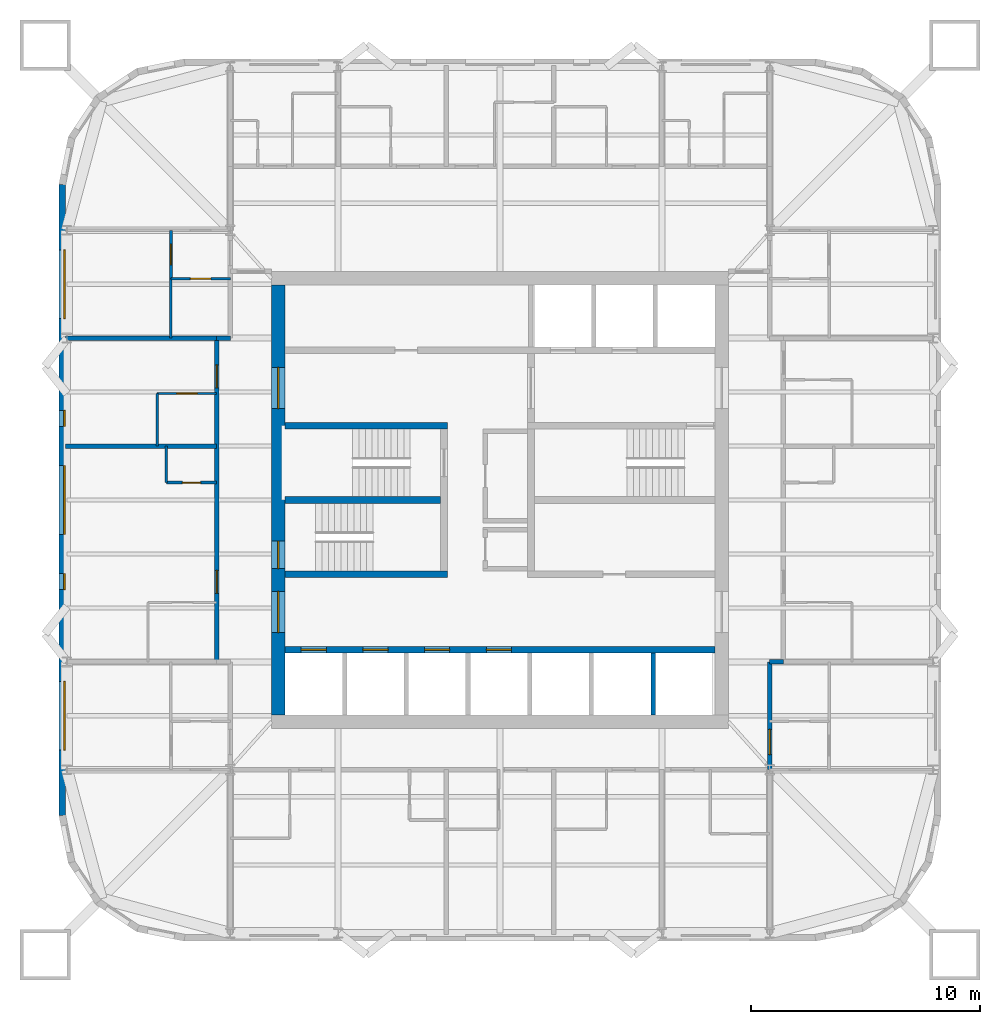
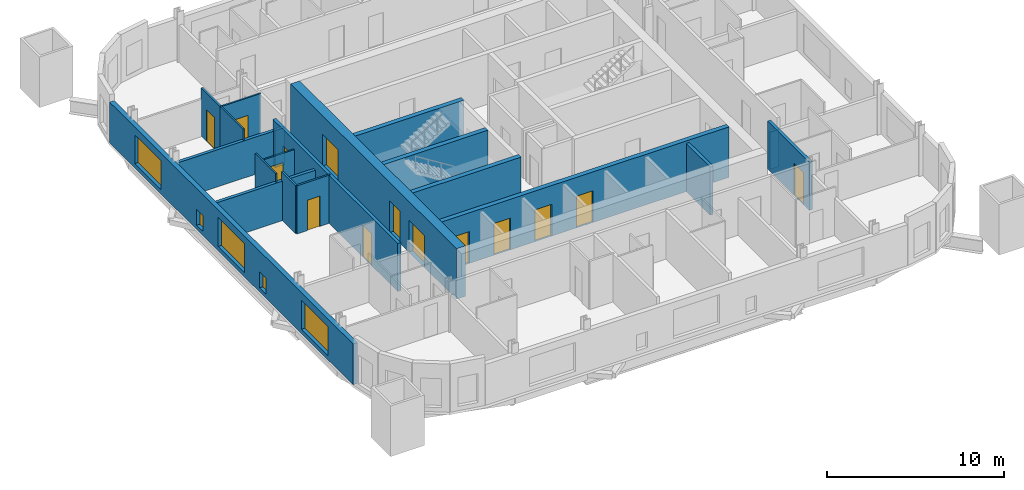
# One storey, part 4 of 9: 20 walls, 14 doors, 5 windows, 19 openings.
"""IFC4 building model written with IfcOpenShell, lengths in metres."""

from ifc_helpers import new_model, si_unit, direction, frame, frame_2d, origin, place, context, subcontext, project, spatial, rectangle, extrude, material, layer, layer_set, type_object, element, fill, save


model = new_model("IFC4")

# Units and contexts
model_context = context("Model", 3, precision=1e-05, world=origin(), true_north=direction((0.0, 1.0)))
body_context = subcontext(model_context, "Body", "Model", "MODEL_VIEW")
ifc_project = project(units=[si_unit("LENGTHUNIT", "METRE"), si_unit("AREAUNIT", "SQUARE_METRE"), si_unit("VOLUMEUNIT", "CUBIC_METRE"), si_unit("PLANEANGLEUNIT", "RADIAN"), si_unit("MASSUNIT", "GRAM", prefix="KILO")], contexts=[model_context])

# Site, building, storey
site_placement = place(None, origin())
site = spatial("IfcSite", under=ifc_project, at=site_placement, CompositionType="ELEMENT")
building_placement = place(site_placement, origin())
building = spatial("IfcBuilding", under=site, at=building_placement, Name="Turquesa Mirador Hotel Tower", CompositionType="ELEMENT")
storey_placement = place(building_placement, frame((0.0, 0.0, 182.800048828125)))
storey = spatial("IfcBuildingStorey", under=building, at=storey_placement, Name="L49", CompositionType="ELEMENT", Elevation=182.800048828125)

# Wall, opening, door
ifc_material_1 = material(Name="Gypsum board on steel studs", Category="steel")
ifc_layer_1 = layer(ifc_material_1, 0.10009765625)
ifc_layer_set_1 = layer_set([ifc_layer_1], Name="BATHROOM WALL 100")
wall_type_1 = type_object("IfcWallType", Name="BATHROOM WALL 100", PredefinedType="PARTITIONING", material=ifc_layer_set_1)
wall_1_placement = place(storey_placement, frame((40.0, 49.659912109375, 0.0), z_axis=(0.0, 0.0, 1.0), x_axis=(1.0, 0.0, 0.0)))
wall_1 = element("IfcWall", 1, at=wall_1_placement, inside=storey, type_object=wall_type_1, Name="Partition L49 033", PredefinedType="PARTITIONING", context=body_context, shape_type="SweptSolid", body=[
    extrude(rectangle(XDim=2.60009765625, YDim=0.10009765625, at=frame_2d((1.300048828125, 0.0))), origin(), (0.0, 0.0, 1.0), 2.73046875),
])
opening_1_placement = place(wall_1_placement, frame((0.85009765625, 0.0, 0.0)))
opening_1 = element("IfcOpeningElement", 2, at=opening_1_placement, cuts=wall_1, Name="Opening D02", PredefinedType="OPENING", context=body_context, shape_type="SweptSolid", body=[
    extrude(rectangle(XDim=0.89990234375, YDim=2.10009765625, at=frame_2d((0.449951171875, 1.050048828125))), frame((0.0, 0.06005859375, 0.0), z_axis=(0.0, -1.0, 0.0), x_axis=(1.0, 0.0, 0.0)), (0.0, 0.0, 1.0), 0.1201171875),
])
ifc_material_2 = material(Name="Timber veneered door", Category="wood")
door_type_1 = type_object("IfcDoorType", Name="DOOR 900X2100 EN-SUITE", OperationType="SINGLE_SWING_RIGHT", PredefinedType="DOOR", material=ifc_material_2)
door_1_placement = place(opening_1_placement, origin())
door_1 = element("IfcDoor", 3, at=door_1_placement, inside=storey, type_object=door_type_1, Name="Door 4913B", OperationType="SINGLE_SWING_RIGHT", OverallHeight=2.10009765625, OverallWidth=0.89990234375, PredefinedType="DOOR", context=body_context, shape_type="SweptSolid", body=[
    extrude(rectangle(XDim=0.89990234375, YDim=2.10009765625, at=frame_2d((0.449951171875, 1.050048828125))), frame((0.0, 0.02490234375, 0.0), z_axis=(0.0, -1.0, 0.0), x_axis=(1.0, 0.0, 0.0)), (0.0, 0.0, 1.0), 0.050048828125),
])
fill(opening_1, door_1)

wall_2_placement = place(storey_placement, frame((40.60009765625, 54.679931640625, 0.0), z_axis=(0.0, 0.0, 1.0), x_axis=(1.0, 0.0, 0.0)))
wall_2 = element("IfcWall", 4, at=wall_2_placement, inside=storey, type_object=wall_type_1, Name="Partition L49 039", PredefinedType="PARTITIONING", context=body_context, shape_type="SweptSolid", body=[
    extrude(rectangle(XDim=2.599853515625, YDim=0.10009765625, at=frame_2d((1.2998046875, 0.0))), origin(), (0.0, 0.0, 1.0), 3.329833984375),
])
opening_2_placement = place(wall_2_placement, frame((0.85009765625, 0.0, 0.0)))
opening_2 = element("IfcOpeningElement", 5, at=opening_2_placement, cuts=wall_2, Name="Opening D02", PredefinedType="OPENING", context=body_context, shape_type="SweptSolid", body=[
    extrude(rectangle(XDim=0.89990234375, YDim=2.10009765625, at=frame_2d((0.449951171875, 1.050048828125))), frame((0.0, 0.06005859375, 0.0), z_axis=(0.0, -1.0, 0.0), x_axis=(1.0, 0.0, 0.0)), (0.0, 0.0, 1.0), 0.1201171875),
])
door_2_placement = place(opening_2_placement, origin())
door_2 = element("IfcDoor", 6, at=door_2_placement, inside=storey, type_object=door_type_1, Name="Door 4915B", OperationType="SINGLE_SWING_RIGHT", OverallHeight=2.10009765625, OverallWidth=0.89990234375, PredefinedType="DOOR", context=body_context, shape_type="SweptSolid", body=[
    extrude(rectangle(XDim=0.89990234375, YDim=2.10009765625, at=frame_2d((0.449951171875, 1.050048828125))), frame((0.0, 0.02490234375, 0.0), z_axis=(0.0, -1.0, 0.0), x_axis=(1.0, 0.0, 0.0)), (0.0, 0.0, 1.0), 0.050048828125),
])
fill(opening_2, door_2)

# Walls
wall_3_placement = place(storey_placement, frame((40.60009765625, 52.080078125, 0.0), z_axis=(0.0, 0.0, 1.0), x_axis=(0.0, 1.0, 0.0)))
element("IfcWall", 7, at=wall_3_placement, inside=storey, type_object=wall_type_1, Name="Partition L49 050", PredefinedType="PARTITIONING", context=body_context, shape_type="SweptSolid", body=[
    extrude(rectangle(XDim=2.599853515625, YDim=0.10009765625, at=frame_2d((1.2998046875, 0.0))), origin(), (0.0, 0.0, 1.0), 3.329833984375),
])
wall_4_placement = place(storey_placement, frame((40.0, 47.360107421875, 0.0), z_axis=(0.0, 0.0, 1.0), x_axis=(0.0, 1.0, 0.0)))
element("IfcWall", 8, at=wall_4_placement, inside=storey, type_object=wall_type_1, Name="Partition L49 054", PredefinedType="PARTITIONING", context=body_context, shape_type="SweptSolid", body=[
    extrude(rectangle(XDim=2.2998046875, YDim=0.10009765625, at=frame_2d((1.14990234375, 0.0))), origin(), (0.0, 0.0, 1.0), 3.329833984375),
])

# Wall, openings, doors
ifc_material_3 = material(Name="Concrete C50/60", Category="concrete")
ifc_layer_2 = layer(ifc_material_3, 0.300048828125)
ifc_layer_set_2 = layer_set([ifc_layer_2], Name="CORE INNER WALL 300")
wall_type_2 = type_object("IfcWallType", Name="CORE INNER WALL 300", PredefinedType="SHEAR", material=ifc_layer_set_2)
wall_5_placement = place(storey_placement, frame((45.60009765625, 38.449951171875, 0.0), z_axis=(0.0, 0.0, 1.0), x_axis=(1.0, 0.0, 0.0)))
wall_5 = element("IfcWall", 9, at=wall_5_placement, inside=storey, type_object=wall_type_2, Name="Core wall SL", PredefinedType="SHEAR", context=body_context, shape_type="SweptSolid", body=[
    extrude(rectangle(XDim=18.7998046875, YDim=0.300048828125, at=frame_2d((9.39990234375, 0.0))), origin(), (0.0, 0.0, 1.0), 3.5),
])
opening_3_placement = place(wall_5_placement, frame((0.699951171875, 0.0, 0.0)))
opening_3 = element("IfcOpeningElement", 10, at=opening_3_placement, cuts=wall_5, Name="Opening LD", PredefinedType="OPENING", context=body_context, shape_type="SweptSolid", body=[
    extrude(rectangle(XDim=1.10009765625, YDim=2.199951171875, at=frame_2d((0.550048828125, 1.10009765625))), frame((0.0, 0.159912109375, 0.0), z_axis=(0.0, -1.0, 0.0), x_axis=(1.0, 0.0, 0.0)), (0.0, 0.0, 1.0), 0.320068359375),
])
opening_4_placement = place(wall_5_placement, frame((3.39990234375, 0.0, 0.0)))
opening_4 = element("IfcOpeningElement", 11, at=opening_4_placement, cuts=wall_5, Name="Opening LD", PredefinedType="OPENING", context=body_context, shape_type="SweptSolid", body=[
    extrude(rectangle(XDim=1.10009765625, YDim=2.199951171875, at=frame_2d((0.550048828125, 1.10009765625))), frame((0.0, 0.159912109375, 0.0), z_axis=(0.0, -1.0, 0.0), x_axis=(1.0, 0.0, 0.0)), (0.0, 0.0, 1.0), 0.320068359375),
])
opening_5_placement = place(wall_5_placement, frame((6.10009765625, 0.0, 0.0)))
opening_5 = element("IfcOpeningElement", 12, at=opening_5_placement, cuts=wall_5, Name="Opening LD", PredefinedType="OPENING", context=body_context, shape_type="SweptSolid", body=[
    extrude(rectangle(XDim=1.10009765625, YDim=2.199951171875, at=frame_2d((0.550048828125, 1.10009765625))), frame((0.0, 0.159912109375, 0.0), z_axis=(0.0, -1.0, 0.0), x_axis=(1.0, 0.0, 0.0)), (0.0, 0.0, 1.0), 0.320068359375),
])
opening_6_placement = place(wall_5_placement, frame((8.800048828125, 0.0, 0.0)))
opening_6 = element("IfcOpeningElement", 13, at=opening_6_placement, cuts=wall_5, Name="Opening LD", PredefinedType="OPENING", context=body_context, shape_type="SweptSolid", body=[
    extrude(rectangle(XDim=1.10009765625, YDim=2.199951171875, at=frame_2d((0.550048828125, 1.10009765625))), frame((0.0, 0.159912109375, 0.0), z_axis=(0.0, -1.0, 0.0), x_axis=(1.0, 0.0, 0.0)), (0.0, 0.0, 1.0), 0.320068359375),
])
ifc_material_4 = material(Name="Stainless steel lift landing door", Category="steel")
door_type_2 = type_object("IfcDoorType", Name="LIFT LANDING DOOR 1100X2200", OperationType="SLIDING_TO_LEFT", PredefinedType="DOOR", material=ifc_material_4)
door_3_placement = place(opening_3_placement, origin())
door_3 = element("IfcDoor", 14, at=door_3_placement, inside=storey, type_object=door_type_2, Name="Lift B1 landing door", OperationType="SLIDING_TO_LEFT", OverallHeight=2.199951171875, OverallWidth=1.10009765625, PredefinedType="DOOR", context=body_context, shape_type="SweptSolid", body=[
    extrude(rectangle(XDim=1.10009765625, YDim=2.199951171875, at=frame_2d((0.550048828125, 1.10009765625))), frame((0.0, 0.02490234375, 0.0), z_axis=(0.0, -1.0, 0.0), x_axis=(1.0, 0.0, 0.0)), (0.0, 0.0, 1.0), 0.050048828125),
])
fill(opening_3, door_3)
door_4_placement = place(opening_4_placement, origin())
door_4 = element("IfcDoor", 15, at=door_4_placement, inside=storey, type_object=door_type_2, Name="Lift B2 landing door", OperationType="SLIDING_TO_LEFT", OverallHeight=2.199951171875, OverallWidth=1.10009765625, PredefinedType="DOOR", context=body_context, shape_type="SweptSolid", body=[
    extrude(rectangle(XDim=1.10009765625, YDim=2.199951171875, at=frame_2d((0.550048828125, 1.10009765625))), frame((0.0, 0.02490234375, 0.0), z_axis=(0.0, -1.0, 0.0), x_axis=(1.0, 0.0, 0.0)), (0.0, 0.0, 1.0), 0.050048828125),
])
fill(opening_4, door_4)
door_5_placement = place(opening_5_placement, origin())
door_5 = element("IfcDoor", 16, at=door_5_placement, inside=storey, type_object=door_type_2, Name="Lift B3 landing door", OperationType="SLIDING_TO_LEFT", OverallHeight=2.199951171875, OverallWidth=1.10009765625, PredefinedType="DOOR", context=body_context, shape_type="SweptSolid", body=[
    extrude(rectangle(XDim=1.10009765625, YDim=2.199951171875, at=frame_2d((0.550048828125, 1.10009765625))), frame((0.0, 0.02490234375, 0.0), z_axis=(0.0, -1.0, 0.0), x_axis=(1.0, 0.0, 0.0)), (0.0, 0.0, 1.0), 0.050048828125),
])
fill(opening_5, door_5)
door_6_placement = place(opening_6_placement, origin())
door_6 = element("IfcDoor", 17, at=door_6_placement, inside=storey, type_object=door_type_2, Name="Lift B4 landing door", OperationType="SLIDING_TO_LEFT", OverallHeight=2.199951171875, OverallWidth=1.10009765625, PredefinedType="DOOR", context=body_context, shape_type="SweptSolid", body=[
    extrude(rectangle(XDim=1.10009765625, YDim=2.199951171875, at=frame_2d((0.550048828125, 1.10009765625))), frame((0.0, 0.02490234375, 0.0), z_axis=(0.0, -1.0, 0.0), x_axis=(1.0, 0.0, 0.0)), (0.0, 0.0, 1.0), 0.050048828125),
])
fill(opening_6, door_6)

# Walls
for number, where, z_axis, x_axis, name in (
    (18, (45.60009765625, 48.25, 0.0), (0.0, 0.0, 1.0), (1.0, 0.0, 0.0), "Core wall MN-W"),
    (19, (45.60009765625, 41.75, 0.0), (0.0, 0.0, 1.0), (1.0, 0.0, 0.0), "Core wall MS-W"),
):
    element("IfcWall", number, at=place(storey_placement, frame(where, z_axis=z_axis, x_axis=x_axis)), inside=storey, type_object=wall_type_2, Name=name, PredefinedType="SHEAR", context=body_context, shape_type="SweptSolid", body=[
        extrude(rectangle(XDim=7.099853515625, YDim=0.300048828125, at=frame_2d((3.5498046875, 0.0))), origin(), (0.0, 0.0, 1.0), 3.5),
    ])
wall_6_placement = place(storey_placement, frame((45.60009765625, 45.0, 0.0), z_axis=(0.0, 0.0, 1.0), x_axis=(1.0, 0.0, 0.0)))
element("IfcWall", 20, at=wall_6_placement, inside=storey, type_object=wall_type_2, Name="Core wall M0-W", PredefinedType="SHEAR", context=body_context, shape_type="SweptSolid", body=[
    extrude(rectangle(XDim=6.7998046875, YDim=0.300048828125, at=frame_2d((3.39990234375, 0.0))), origin(), (0.0, 0.0, 1.0), 3.5),
])

# Wall, openings, doors
ifc_material_5 = material(Name="Concrete C50/60", Category="concrete")
ifc_layer_3 = layer(ifc_material_5, 0.60009765625)
ifc_layer_set_3 = layer_set([ifc_layer_3], Name="CORE WALL 600")
wall_type_3 = type_object("IfcWallType", Name="CORE WALL 600", PredefinedType="SHEAR", material=ifc_layer_set_3)
wall_7_placement = place(storey_placement, frame((45.300048828125, 35.60009765625, 0.0), z_axis=(0.0, 0.0, 1.0), x_axis=(0.0, 1.0, 0.0)))
wall_7 = element("IfcWall", 21, at=wall_7_placement, inside=storey, type_object=wall_type_3, Name="Core wall W", PredefinedType="SHEAR", context=body_context, shape_type="SweptSolid", body=[
    extrude(rectangle(XDim=18.7998046875, YDim=0.60009765625, at=frame_2d((9.39990234375, 0.0))), origin(), (0.0, 0.0, 1.0), 3.5),
])
opening_7_placement = place(wall_7_placement, frame((13.39990234375, 0.0, 0.0)))
opening_7 = element("IfcOpeningElement", 22, at=opening_7_placement, cuts=wall_7, Name="Opening D04", PredefinedType="OPENING", context=body_context, shape_type="SweptSolid", body=[
    extrude(rectangle(XDim=1.800048828125, YDim=2.199951171875, at=frame_2d((0.89990234375, 1.10009765625))), frame((0.0, 0.31005859375, 0.0), z_axis=(0.0, -1.0, 0.0), x_axis=(1.0, 0.0, 0.0)), (0.0, 0.0, 1.0), 0.6201171875),
])
opening_8_placement = place(wall_7_placement, frame((3.60009765625, 0.0, 0.0)))
opening_8 = element("IfcOpeningElement", 23, at=opening_8_placement, cuts=wall_7, Name="Opening D04", PredefinedType="OPENING", context=body_context, shape_type="SweptSolid", body=[
    extrude(rectangle(XDim=1.800048828125, YDim=2.199951171875, at=frame_2d((0.89990234375, 1.10009765625))), frame((0.0, 0.31005859375, 0.0), z_axis=(0.0, -1.0, 0.0), x_axis=(1.0, 0.0, 0.0)), (0.0, 0.0, 1.0), 0.6201171875),
])
opening_9_placement = place(wall_7_placement, frame((6.39990234375, 0.0, 0.0)))
opening_9 = element("IfcOpeningElement", 24, at=opening_9_placement, cuts=wall_7, Name="Opening D03", PredefinedType="OPENING", context=body_context, shape_type="SweptSolid", body=[
    extrude(rectangle(XDim=1.199951171875, YDim=2.199951171875, at=frame_2d((0.60009765625, 1.10009765625))), frame((0.0, 0.31005859375, 0.0), z_axis=(0.0, -1.0, 0.0), x_axis=(1.0, 0.0, 0.0)), (0.0, 0.0, 1.0), 0.6201171875),
])
ifc_material_6 = material(Name="Steel fire door", Category="steel")
door_type_3 = type_object("IfcDoorType", Name="DOOR 1200X2200 STAIR", OperationType="SINGLE_SWING_LEFT", PredefinedType="DOOR", material=ifc_material_6)
door_7_placement = place(opening_9_placement, origin())
door_7 = element("IfcDoor", 25, at=door_7_placement, inside=storey, type_object=door_type_3, Name="Stair ST2 door", OperationType="SINGLE_SWING_LEFT", OverallHeight=2.199951171875, OverallWidth=1.199951171875, PredefinedType="DOOR", context=body_context, shape_type="SweptSolid", body=[
    extrude(rectangle(XDim=1.199951171875, YDim=2.199951171875, at=frame_2d((0.60009765625, 1.10009765625))), frame((0.0, 0.02490234375, 0.0), z_axis=(0.0, -1.0, 0.0), x_axis=(1.0, 0.0, 0.0)), (0.0, 0.0, 1.0), 0.050048828125),
])
fill(opening_9, door_7)
ifc_material_7 = material(Name="Steel fire door pair", Category="steel")
door_type_4 = type_object("IfcDoorType", Name="DOOR 1800X2200 PAIR", OperationType="DOUBLE_DOOR_SINGLE_SWING", PredefinedType="DOOR", material=ifc_material_7)
door_8_placement = place(opening_7_placement, origin())
door_8 = element("IfcDoor", 26, at=door_8_placement, inside=storey, type_object=door_type_4, Name="North lift lobby door", OperationType="DOUBLE_DOOR_SINGLE_SWING", OverallHeight=2.199951171875, OverallWidth=1.800048828125, PredefinedType="DOOR", context=body_context, shape_type="SweptSolid", body=[
    extrude(rectangle(XDim=1.800048828125, YDim=2.199951171875, at=frame_2d((0.89990234375, 1.10009765625))), frame((0.0, 0.02490234375, 0.0), z_axis=(0.0, -1.0, 0.0), x_axis=(1.0, 0.0, 0.0)), (0.0, 0.0, 1.0), 0.050048828125),
])
fill(opening_7, door_8)
door_9_placement = place(opening_8_placement, origin())
door_9 = element("IfcDoor", 27, at=door_9_placement, inside=storey, type_object=door_type_4, Name="South lift lobby door", OperationType="DOUBLE_DOOR_SINGLE_SWING", OverallHeight=2.199951171875, OverallWidth=1.800048828125, PredefinedType="DOOR", context=body_context, shape_type="SweptSolid", body=[
    extrude(rectangle(XDim=1.800048828125, YDim=2.199951171875, at=frame_2d((0.89990234375, 1.10009765625))), frame((0.0, 0.02490234375, 0.0), z_axis=(0.0, -1.0, 0.0), x_axis=(1.0, 0.0, 0.0)), (0.0, 0.0, 1.0), 0.050048828125),
])
fill(opening_8, door_9)

# Walls
ifc_material_8 = material(Name="Fire-rated gypsum board on steel studs", Category="steel")
ifc_layer_4 = layer(ifc_material_8, 0.199951171875)
ifc_layer_set_4 = layer_set([ifc_layer_4], Name="CORRIDOR WALL 200")
wall_type_4 = type_object("IfcWallType", Name="CORRIDOR WALL 200", PredefinedType="PARTITIONING", material=ifc_layer_set_4)
for number, where, z_axis, x_axis, name in (
    (28, (66.800048828125, 37.919921875, 0.0), (0.0, 0.0, 1.0), (1.0, 0.0, 0.0), "Partition L49 012"),
    (29, (42.60009765625, 52.080078125, 0.0), (0.0, 0.0, 1.0), (1.0, 0.0, 0.0), "Partition L49 035"),
):
    element("IfcWall", number, at=place(storey_placement, frame(where, z_axis=z_axis, x_axis=x_axis)), inside=storey, type_object=wall_type_4, Name=name, PredefinedType="PARTITIONING", context=body_context, shape_type="SweptSolid", body=[
        extrude(rectangle(XDim=0.599853515625, YDim=0.199951171875, at=frame_2d((0.2998046875, 0.0))), origin(), (0.0, 0.0, 1.0), 2.572998046875),
    ])

# Wall, openings, doors
wall_8_placement = place(storey_placement, frame((42.60009765625, 37.919921875, 0.0), z_axis=(0.0, 0.0, 1.0), x_axis=(0.0, 1.0, 0.0)))
wall_8 = element("IfcWall", 30, at=wall_8_placement, inside=storey, type_object=wall_type_4, Name="Partition L49 048", PredefinedType="PARTITIONING", context=body_context, shape_type="SweptSolid", body=[
    extrude(rectangle(XDim=14.16015625, YDim=0.199951171875, at=frame_2d((7.080078125, 0.0))), origin(), (0.0, 0.0, 1.0), 3.329833984375),
])
opening_10_placement = place(wall_8_placement, frame((3.0, 0.0, 0.0)))
opening_10 = element("IfcOpeningElement", 31, at=opening_10_placement, cuts=wall_8, Name="Opening D01", PredefinedType="OPENING", context=body_context, shape_type="SweptSolid", body=[
    extrude(rectangle(XDim=1.0, YDim=2.199951171875, at=frame_2d((0.5, 1.10009765625))), frame((0.0, 0.10986328125, 0.0), z_axis=(0.0, -1.0, 0.0), x_axis=(1.0, 0.0, 0.0)), (0.0, 0.0, 1.0), 0.219970703125),
])
opening_11_placement = place(wall_8_placement, frame((11.989990234375, 0.0, 0.0)))
opening_11 = element("IfcOpeningElement", 32, at=opening_11_placement, cuts=wall_8, Name="Opening D01", PredefinedType="OPENING", context=body_context, shape_type="SweptSolid", body=[
    extrude(rectangle(XDim=1.0, YDim=2.199951171875, at=frame_2d((0.5, 1.10009765625))), frame((0.0, 0.10986328125, 0.0), z_axis=(0.0, -1.0, 0.0), x_axis=(1.0, 0.0, 0.0)), (0.0, 0.0, 1.0), 0.219970703125),
])
ifc_material_9 = material(Name="Timber veneered fire door", Category="wood")
door_type_5 = type_object("IfcDoorType", Name="DOOR 1000X2200 GUEST ENTRY", OperationType="SINGLE_SWING_LEFT", PredefinedType="DOOR", material=ifc_material_9)
door_10_placement = place(opening_10_placement, origin())
door_10 = element("IfcDoor", 33, at=door_10_placement, inside=storey, type_object=door_type_5, Name="Door 4912", OperationType="SINGLE_SWING_LEFT", OverallHeight=2.199951171875, OverallWidth=1.0, PredefinedType="DOOR", context=body_context, shape_type="SweptSolid", body=[
    extrude(rectangle(XDim=1.0, YDim=2.199951171875, at=frame_2d((0.5, 1.10009765625))), frame((0.0, 0.02490234375, 0.0), z_axis=(0.0, -1.0, 0.0), x_axis=(1.0, 0.0, 0.0)), (0.0, 0.0, 1.0), 0.050048828125),
])
fill(opening_10, door_10)
door_11_placement = place(opening_11_placement, origin())
door_11 = element("IfcDoor", 34, at=door_11_placement, inside=storey, type_object=door_type_5, Name="Door 4913", OperationType="SINGLE_SWING_LEFT", OverallHeight=2.199951171875, OverallWidth=1.0, PredefinedType="DOOR", context=body_context, shape_type="SweptSolid", body=[
    extrude(rectangle(XDim=1.0, YDim=2.199951171875, at=frame_2d((0.5, 1.10009765625))), frame((0.0, 0.02490234375, 0.0), z_axis=(0.0, -1.0, 0.0), x_axis=(1.0, 0.0, 0.0)), (0.0, 0.0, 1.0), 0.050048828125),
])
fill(opening_11, door_11)

# Wall, opening, door
wall_9_placement = place(storey_placement, frame((66.800048828125, 33.199951171875, 0.0), z_axis=(0.0, 0.0, 1.0), x_axis=(0.0, 1.0, 0.0)))
wall_9 = element("IfcWall", 35, at=wall_9_placement, inside=storey, type_object=wall_type_4, Name="Partition L49 063", PredefinedType="PARTITIONING", context=body_context, shape_type="SweptSolid", body=[
    extrude(rectangle(XDim=4.719970703125, YDim=0.199951171875, at=frame_2d((2.35986328125, 0.0))), origin(), (0.0, 0.0, 1.0), 3.329833984375),
])
opening_12_placement = place(wall_9_placement, frame((0.659912109375, 0.0, 0.0)))
opening_12 = element("IfcOpeningElement", 36, at=opening_12_placement, cuts=wall_9, Name="Opening D15", PredefinedType="OPENING", context=body_context, shape_type="SweptSolid", body=[
    extrude(rectangle(XDim=1.10009765625, YDim=2.199951171875, at=frame_2d((0.550048828125, 1.10009765625))), frame((0.0, 0.10986328125, 0.0), z_axis=(0.0, -1.0, 0.0), x_axis=(1.0, 0.0, 0.0)), (0.0, 0.0, 1.0), 0.219970703125),
])
ifc_material_10 = material(Name="Timber veneered fire door", Category="wood")
door_type_6 = type_object("IfcDoorType", Name="DOOR 1100X2200 SUITE ENTRY", OperationType="SINGLE_SWING_LEFT", PredefinedType="DOOR", material=ifc_material_10)
door_12_placement = place(opening_12_placement, origin())
door_12 = element("IfcDoor", 37, at=door_12_placement, inside=storey, type_object=door_type_6, Name="Door 4917H", OperationType="SINGLE_SWING_LEFT", OverallHeight=2.199951171875, OverallWidth=1.10009765625, PredefinedType="DOOR", context=body_context, shape_type="SweptSolid", body=[
    extrude(rectangle(XDim=1.10009765625, YDim=2.199951171875, at=frame_2d((0.550048828125, 1.10009765625))), frame((0.0, 0.02490234375, 0.0), z_axis=(0.0, -1.0, 0.0), x_axis=(1.0, 0.0, 0.0)), (0.0, 0.0, 1.0), 0.050048828125),
])
fill(opening_12, door_12)

# Wall, openings, windows
ifc_material_11 = material(Name="Limestone cladding on concrete block", Category="masonry")
ifc_layer_5 = layer(ifc_material_11, 0.300048828125)
ifc_layer_set_5 = layer_set([ifc_layer_5], Name="FACADE WALL 300 STONE SCREEN")
wall_type_5 = type_object("IfcWallType", Name="FACADE WALL 300 STONE SCREEN", PredefinedType="SOLIDWALL", material=ifc_layer_set_5)
wall_10_placement = place(storey_placement, frame((35.85009765625, 58.800048828125, 0.0), z_axis=(0.0, 0.0, 1.0), x_axis=(0.0, -1.0, 0.0)))
wall_10 = element("IfcWall", 38, at=wall_10_placement, inside=storey, type_object=wall_type_5, Name="Facade wall L49 14", PredefinedType="SOLIDWALL", context=body_context, shape_type="SweptSolid", body=[
    extrude(rectangle(XDim=27.60009765625, YDim=0.300048828125, at=frame_2d((13.800048828125, 0.0))), origin(), (0.0, 0.0, 1.0), 2.829833984375),
])
opening_13_placement = place(wall_10_placement, frame((2.860107421875, 0.0, 0.300048828125)))
opening_13 = element("IfcOpeningElement", 39, at=opening_13_placement, cuts=wall_10, Name="Opening WN1", PredefinedType="OPENING", context=body_context, shape_type="SweptSolid", body=[
    extrude(rectangle(XDim=3.0, YDim=2.0, at=frame_2d((1.5, 1.0))), frame((0.0, 0.159912109375, 0.0), z_axis=(0.0, -1.0, 0.0), x_axis=(1.0, 0.0, 0.0)), (0.0, 0.0, 1.0), 0.320068359375),
])
opening_14_placement = place(wall_10_placement, frame((9.8798828125, 0.0, 0.300048828125)))
opening_14 = element("IfcOpeningElement", 40, at=opening_14_placement, cuts=wall_10, Name="Opening WN33", PredefinedType="OPENING", context=body_context, shape_type="SweptSolid", body=[
    extrude(rectangle(XDim=0.699951171875, YDim=1.10009765625, at=frame_2d((0.35009765625, 0.550048828125))), frame((0.0, 0.159912109375, 0.0), z_axis=(0.0, -1.0, 0.0), x_axis=(1.0, 0.0, 0.0)), (0.0, 0.0, 1.0), 0.320068359375),
])
opening_15_placement = place(wall_10_placement, frame((12.300048828125, 0.0, 0.300048828125)))
opening_15 = element("IfcOpeningElement", 41, at=opening_15_placement, cuts=wall_10, Name="Opening WN1", PredefinedType="OPENING", context=body_context, shape_type="SweptSolid", body=[
    extrude(rectangle(XDim=3.0, YDim=2.0, at=frame_2d((1.5, 1.0))), frame((0.0, 0.159912109375, 0.0), z_axis=(0.0, -1.0, 0.0), x_axis=(1.0, 0.0, 0.0)), (0.0, 0.0, 1.0), 0.320068359375),
])
opening_16_placement = place(wall_10_placement, frame((17.02001953125, 0.0, 0.300048828125)))
opening_16 = element("IfcOpeningElement", 42, at=opening_16_placement, cuts=wall_10, Name="Opening WN33", PredefinedType="OPENING", context=body_context, shape_type="SweptSolid", body=[
    extrude(rectangle(XDim=0.699951171875, YDim=1.10009765625, at=frame_2d((0.35009765625, 0.550048828125))), frame((0.0, 0.159912109375, 0.0), z_axis=(0.0, -1.0, 0.0), x_axis=(1.0, 0.0, 0.0)), (0.0, 0.0, 1.0), 0.320068359375),
])
opening_17_placement = place(wall_10_placement, frame((21.739990234375, 0.0, 0.300048828125)))
opening_17 = element("IfcOpeningElement", 43, at=opening_17_placement, cuts=wall_10, Name="Opening WN1", PredefinedType="OPENING", context=body_context, shape_type="SweptSolid", body=[
    extrude(rectangle(XDim=3.0, YDim=2.0, at=frame_2d((1.5, 1.0))), frame((0.0, 0.159912109375, 0.0), z_axis=(0.0, -1.0, 0.0), x_axis=(1.0, 0.0, 0.0)), (0.0, 0.0, 1.0), 0.320068359375),
])
ifc_material_12 = material(Name="Ceramic-fritted laminated glass", Category="glass")
window_type_1 = type_object("IfcWindowType", Name="FRITTED WINDOW 3000X2000", PartitioningType="DOUBLE_PANEL_HORIZONTAL", PredefinedType="WINDOW", material=ifc_material_12)
window_1_placement = place(opening_13_placement, origin())
window_1 = element("IfcWindow", 44, at=window_1_placement, inside=storey, type_object=window_type_1, Name="Window L49", OverallHeight=2.0, OverallWidth=3.0, PartitioningType="SINGLE_PANEL", PredefinedType="WINDOW", context=body_context, shape_type="SweptSolid", body=[
    extrude(rectangle(XDim=3.0, YDim=2.0, at=frame_2d((1.5, 1.0))), frame((0.0, 0.130126953125, 0.0), z_axis=(0.0, -1.0, 0.0), x_axis=(1.0, 0.0, 0.0)), (0.0, 0.0, 1.0), 0.06005859375),
])
fill(opening_13, window_1)
window_2_placement = place(opening_15_placement, origin())
window_2 = element("IfcWindow", 45, at=window_2_placement, inside=storey, type_object=window_type_1, Name="Window L49", OverallHeight=2.0, OverallWidth=3.0, PartitioningType="SINGLE_PANEL", PredefinedType="WINDOW", context=body_context, shape_type="SweptSolid", body=[
    extrude(rectangle(XDim=3.0, YDim=2.0, at=frame_2d((1.5, 1.0))), frame((0.0, 0.130126953125, 0.0), z_axis=(0.0, -1.0, 0.0), x_axis=(1.0, 0.0, 0.0)), (0.0, 0.0, 1.0), 0.06005859375),
])
fill(opening_15, window_2)
window_3_placement = place(opening_17_placement, origin())
window_3 = element("IfcWindow", 46, at=window_3_placement, inside=storey, type_object=window_type_1, Name="Window L49", OverallHeight=2.0, OverallWidth=3.0, PartitioningType="SINGLE_PANEL", PredefinedType="WINDOW", context=body_context, shape_type="SweptSolid", body=[
    extrude(rectangle(XDim=3.0, YDim=2.0, at=frame_2d((1.5, 1.0))), frame((0.0, 0.130126953125, 0.0), z_axis=(0.0, -1.0, 0.0), x_axis=(1.0, 0.0, 0.0)), (0.0, 0.0, 1.0), 0.06005859375),
])
fill(opening_17, window_3)
ifc_material_13 = material(Name="Ceramic-fritted laminated glass", Category="glass")
window_type_2 = type_object("IfcWindowType", Name="FRITTED WINDOW 700X1100", PartitioningType="DOUBLE_PANEL_HORIZONTAL", PredefinedType="WINDOW", material=ifc_material_13)
window_4_placement = place(opening_14_placement, origin())
window_4 = element("IfcWindow", 47, at=window_4_placement, inside=storey, type_object=window_type_2, Name="Window L49", OverallHeight=1.10009765625, OverallWidth=0.699951171875, PartitioningType="SINGLE_PANEL", PredefinedType="WINDOW", context=body_context, shape_type="SweptSolid", body=[
    extrude(rectangle(XDim=0.699951171875, YDim=1.10009765625, at=frame_2d((0.35009765625, 0.550048828125))), frame((0.0, 0.130126953125, 0.0), z_axis=(0.0, -1.0, 0.0), x_axis=(1.0, 0.0, 0.0)), (0.0, 0.0, 1.0), 0.06005859375),
])
fill(opening_14, window_4)
window_5_placement = place(opening_16_placement, origin())
window_5 = element("IfcWindow", 48, at=window_5_placement, inside=storey, type_object=window_type_2, Name="Window L49", OverallHeight=1.10009765625, OverallWidth=0.699951171875, PartitioningType="SINGLE_PANEL", PredefinedType="WINDOW", context=body_context, shape_type="SweptSolid", body=[
    extrude(rectangle(XDim=0.699951171875, YDim=1.10009765625, at=frame_2d((0.35009765625, 0.550048828125))), frame((0.0, 0.130126953125, 0.0), z_axis=(0.0, -1.0, 0.0), x_axis=(1.0, 0.0, 0.0)), (0.0, 0.0, 1.0), 0.06005859375),
])
fill(opening_16, window_5)

# Walls
ifc_material_14 = material(Name="Fire-rated gypsum shaft wall on steel studs", Category="steel")
ifc_layer_6 = layer(ifc_material_14, 0.199951171875)
ifc_layer_set_6 = layer_set([ifc_layer_6], Name="LIFT SHAFT DIVIDER 200")
wall_type_6 = type_object("IfcWallType", Name="LIFT SHAFT DIVIDER 200", PredefinedType="PARTITIONING", material=ifc_layer_set_6)
wall_11_placement = place(storey_placement, frame((61.699951171875, 35.60009765625, 0.0), z_axis=(0.0, 0.0, 1.0), x_axis=(0.0, 1.0, 0.0)))
element("IfcWall", 49, at=wall_11_placement, inside=storey, type_object=wall_type_6, Name="Lift shaft divider", PredefinedType="PARTITIONING", context=body_context, shape_type="SweptSolid", body=[
    extrude(rectangle(XDim=2.699951171875, YDim=0.199951171875, at=frame_2d((1.35009765625, 0.0))), origin(), (0.0, 0.0, 1.0), 3.329833984375),
])
ifc_material_15 = material(Name="Fire-rated gypsum board on steel studs", Category="steel")
ifc_layer_7 = layer(ifc_material_15, 0.199951171875)
ifc_layer_set_7 = layer_set([ifc_layer_7], Name="PARTY WALL 200")
wall_type_7 = type_object("IfcWallType", Name="PARTY WALL 200", PredefinedType="PARTITIONING", material=ifc_layer_set_7)
wall_12_placement = place(storey_placement, frame((36.0, 47.360107421875, 0.0), z_axis=(0.0, 0.0, 1.0), x_axis=(1.0, 0.0, 0.0)))
element("IfcWall", 50, at=wall_12_placement, inside=storey, type_object=wall_type_7, Name="Partition L49 031", PredefinedType="PARTITIONING", context=body_context, shape_type="SweptSolid", body=[
    extrude(rectangle(XDim=6.60009765625, YDim=0.199951171875, at=frame_2d((3.300048828125, 0.0))), origin(), (0.0, 0.0, 1.0), 2.73046875),
])
wall_13_placement = place(storey_placement, frame((36.0, 52.080078125, 0.0), z_axis=(0.0, 0.0, 1.0), x_axis=(1.0, 0.0, 0.0)))
element("IfcWall", 51, at=wall_13_placement, inside=storey, type_object=wall_type_7, Name="Partition L49 037", PredefinedType="PARTITIONING", context=body_context, shape_type="SweptSolid", body=[
    extrude(rectangle(XDim=6.60009765625, YDim=0.199951171875, at=frame_2d((3.300048828125, 0.0))), origin(), (0.0, 0.0, 1.0), 2.572998046875),
])

# Wall, opening, door
ifc_material_16 = material(Name="Acoustic gypsum board on steel studs", Category="steel")
ifc_layer_8 = layer(ifc_material_16, 0.125)
ifc_layer_set_8 = layer_set([ifc_layer_8], Name="SUITE PARTITION 125")
wall_type_8 = type_object("IfcWallType", Name="SUITE PARTITION 125", PredefinedType="PARTITIONING", material=ifc_layer_set_8)
wall_14_placement = place(storey_placement, frame((40.39990234375, 45.760009765625, 0.0), z_axis=(0.0, 0.0, 1.0), x_axis=(1.0, 0.0, 0.0)))
wall_14 = element("IfcWall", 52, at=wall_14_placement, inside=storey, type_object=wall_type_8, Name="Partition L49 017", PredefinedType="PARTITIONING", context=body_context, shape_type="SweptSolid", body=[
    extrude(rectangle(XDim=2.2001953125, YDim=0.125, at=frame_2d((1.10009765625, 0.0))), origin(), (0.0, 0.0, 1.0), 3.329833984375),
])
opening_18_placement = place(wall_14_placement, frame((0.699951171875, 0.0, 0.0)))
opening_18 = element("IfcOpeningElement", 53, at=opening_18_placement, cuts=wall_14, Name="Opening D20", PredefinedType="OPENING", context=body_context, shape_type="SweptSolid", body=[
    extrude(rectangle(XDim=0.800048828125, YDim=2.10009765625, at=frame_2d((0.39990234375, 1.050048828125))), frame((0.0, 0.072509765625, 0.0), z_axis=(0.0, -1.0, 0.0), x_axis=(1.0, 0.0, 0.0)), (0.0, 0.0, 1.0), 0.14501953125),
])
ifc_material_17 = material(Name="Timber veneered sliding door", Category="wood")
door_type_7 = type_object("IfcDoorType", Name="DOOR 800X2100 WARDROBE", OperationType="SLIDING_TO_LEFT", PredefinedType="DOOR", material=ifc_material_17)
door_13_placement = place(opening_18_placement, origin())
door_13 = element("IfcDoor", 54, at=door_13_placement, inside=storey, type_object=door_type_7, Name="Door 4912W", OperationType="SLIDING_TO_LEFT", OverallHeight=2.10009765625, OverallWidth=0.800048828125, PredefinedType="DOOR", context=body_context, shape_type="SweptSolid", body=[
    extrude(rectangle(XDim=0.800048828125, YDim=2.10009765625, at=frame_2d((0.39990234375, 1.050048828125))), frame((0.0, 0.02490234375, 0.0), z_axis=(0.0, -1.0, 0.0), x_axis=(1.0, 0.0, 0.0)), (0.0, 0.0, 1.0), 0.050048828125),
])
fill(opening_18, door_13)

wall_15_placement = place(storey_placement, frame((40.60009765625, 54.679931640625, 0.0), z_axis=(0.0, 0.0, 1.0), x_axis=(0.0, 1.0, 0.0)))
wall_15 = element("IfcWall", 55, at=wall_15_placement, inside=storey, type_object=wall_type_8, Name="Partition L49 052", PredefinedType="PARTITIONING", context=body_context, shape_type="SweptSolid", body=[
    extrude(rectangle(XDim=2.1201171875, YDim=0.125, at=frame_2d((1.06005859375, 0.0))), origin(), (0.0, 0.0, 1.0), 3.329833984375),
])
opening_19_placement = place(wall_15_placement, frame((0.610107421875, 0.0, 0.0)))
opening_19 = element("IfcOpeningElement", 56, at=opening_19_placement, cuts=wall_15, Name="Opening D17", PredefinedType="OPENING", context=body_context, shape_type="SweptSolid", body=[
    extrude(rectangle(XDim=0.89990234375, YDim=2.199951171875, at=frame_2d((0.449951171875, 1.10009765625))), frame((0.0, 0.072509765625, 0.0), z_axis=(0.0, -1.0, 0.0), x_axis=(1.0, 0.0, 0.0)), (0.0, 0.0, 1.0), 0.14501953125),
])
ifc_material_18 = material(Name="Timber veneered door", Category="wood")
door_type_8 = type_object("IfcDoorType", Name="DOOR 900X2200 SUITE INTERNAL", OperationType="SINGLE_SWING_LEFT", PredefinedType="DOOR", material=ifc_material_18)
door_14_placement = place(opening_19_placement, origin())
door_14 = element("IfcDoor", 57, at=door_14_placement, inside=storey, type_object=door_type_8, Name="Door 4915R", OperationType="SINGLE_SWING_LEFT", OverallHeight=2.199951171875, OverallWidth=0.89990234375, PredefinedType="DOOR", context=body_context, shape_type="SweptSolid", body=[
    extrude(rectangle(XDim=0.89990234375, YDim=2.199951171875, at=frame_2d((0.449951171875, 1.10009765625))), frame((0.0, 0.02490234375, 0.0), z_axis=(0.0, -1.0, 0.0), x_axis=(1.0, 0.0, 0.0)), (0.0, 0.0, 1.0), 0.050048828125),
])
fill(opening_19, door_14)

# Wall
wall_16_placement = place(storey_placement, frame((40.39990234375, 45.760009765625, 0.0), z_axis=(0.0, 0.0, 1.0), x_axis=(0.0, 1.0, 0.0)))
element("IfcWall", 58, at=wall_16_placement, inside=storey, type_object=wall_type_8, Name="Partition L49 053", PredefinedType="PARTITIONING", context=body_context, shape_type="SweptSolid", body=[
    extrude(rectangle(XDim=1.60009765625, YDim=0.125, at=frame_2d((0.800048828125, 0.0))), origin(), (0.0, 0.0, 1.0), 3.329833984375),
])

save(model, "model.ifc")
